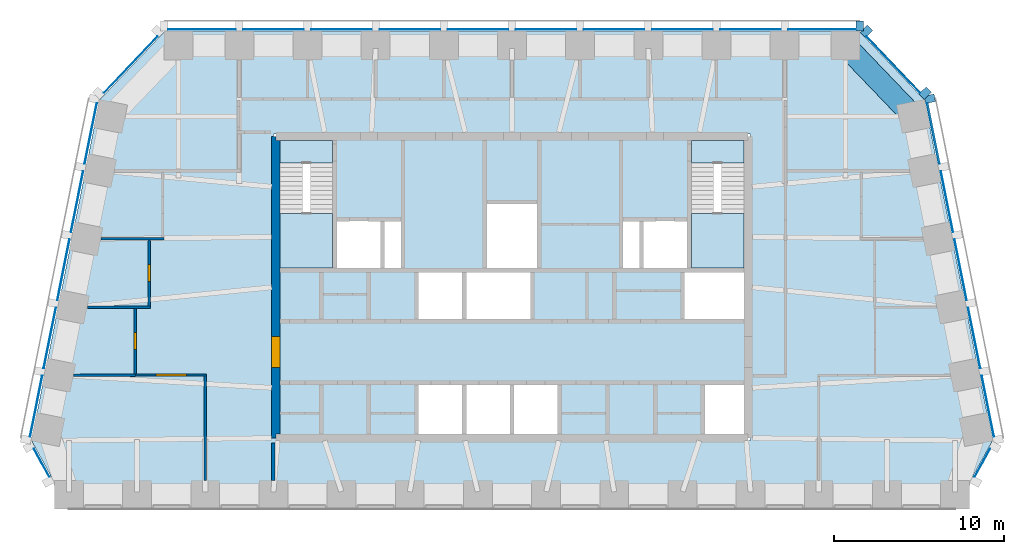
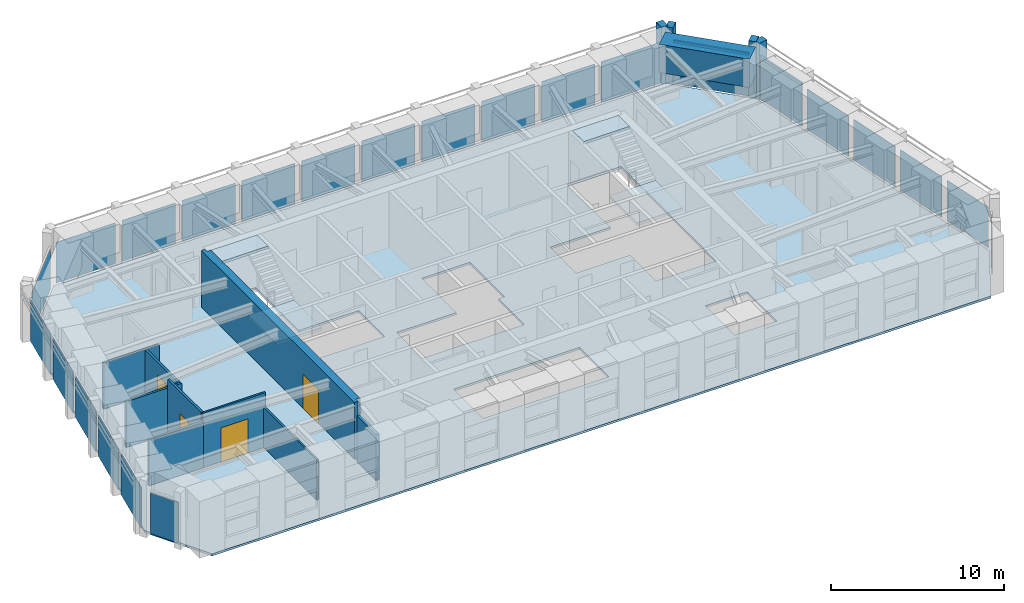
# One storey, part 3 of 9: 24 plates, 9 walls, 6 members, 5 slabs, 4 doors, 1 beam, 4 openings, 9 elements without a shape of their own.
"""IFC4 building model written with IfcOpenShell, lengths in metres."""

from ifc_helpers import new_model, si_unit, direction, frame, frame_2d, origin, origin_2d, place, context, subcontext, project, spatial, polyline, rectangle, outline, extrude, material, layer, layer_set, material_profile, profile_set, type_object, element, fill, aggregate, save


model = new_model("IFC4")

# Units and contexts
model_context = context("Model", 3, precision=1e-05, world=origin(), true_north=direction((0.0, 1.0)))
body_context = subcontext(model_context, "Body", "Model", "MODEL_VIEW")
ifc_project = project(units=[si_unit("LENGTHUNIT", "METRE"), si_unit("AREAUNIT", "SQUARE_METRE"), si_unit("VOLUMEUNIT", "CUBIC_METRE"), si_unit("PLANEANGLEUNIT", "RADIAN"), si_unit("MASSUNIT", "GRAM", prefix="KILO")], contexts=[model_context])

# Site, building, storey
site_placement = place(None, origin())
site = spatial("IfcSite", under=ifc_project, at=site_placement, CompositionType="ELEMENT")
building_placement = place(site_placement, origin())
building = spatial("IfcBuilding", under=site, at=building_placement, Name="Isbrekke Arena Tower", CompositionType="ELEMENT")
storey_placement = place(building_placement, frame((0.0, 0.0, 312.0)))
storey = spatial("IfcBuildingStorey", under=building, at=storey_placement, Name="L73", CompositionType="ELEMENT", Elevation=312.0)

# Curtain wall, member
ifc_material_1 = material(Name="Glazed aluminium curtain wall", Category="aluminium")
curtain_wall_type = type_object("IfcCurtainWallType", Name="CWT TOWER CURTAIN WALL TOP ZONE", PredefinedType="USERDEFINED", material=ifc_material_1)
curtain_wall_1_placement = place(storey_placement, origin())
curtain_wall_1 = element("IfcCurtainWall", 1, at=curtain_wall_1_placement, inside=storey, type_object=curtain_wall_type, Name="CWT curtain wall L73-E", ObjectType="TOWER CURTAIN WALL TOP ZONE", PredefinedType="USERDEFINED")
ifc_material_2 = material(Name="Copper-clad aluminium mullion", Category="aluminium")
ifc_material_profile_1 = material_profile(ifc_material_2, rectangle(XDim=0.449951171875, YDim=0.60009765625, at=origin_2d()), Name="PIER 450X600")
ifc_profile_set_1 = profile_set([ifc_material_profile_1], Name="Copper-clad aluminium mullion")
member_type_1 = type_object("IfcMemberType", Name="CWT-M PIER MULLION 450 x 600", PredefinedType="MULLION", material=ifc_profile_set_1)
member_1_placement = place(storey_placement, frame((24.518798828125, 26.063720703125, 0.0), z_axis=(0.0, 0.0, 1.0), x_axis=(-0.196116135138, 0.980580675691, 0.0)))
member_1 = element("IfcMember", 2, at=member_1_placement, type_object=member_type_1, Name="CWT-M mullion 6", PredefinedType="MULLION", context=body_context, shape_type="SweptSolid", body=[
    extrude(rectangle(XDim=0.449951171875, YDim=0.60009765625, at=origin_2d()), origin(), (0.0, 0.0, 1.0), 4.0),
])

# Curtain wall, members
curtain_wall_2_placement = place(storey_placement, origin())
curtain_wall_2 = element("IfcCurtainWall", 3, at=curtain_wall_2_placement, inside=storey, type_object=curtain_wall_type, Name="CWT curtain wall L73-EN", ObjectType="TOWER CURTAIN WALL TOP ZONE", PredefinedType="USERDEFINED")
member_2_placement = place(storey_placement, frame((24.244384765625, 26.388671875, 0.0), z_axis=(0.0, 0.0, 1.0), x_axis=(-0.68874946192, 0.72499943359, 0.0)))
member_2 = element("IfcMember", 4, at=member_2_placement, type_object=member_type_1, Name="CWT-M mullion 1", PredefinedType="MULLION", context=body_context, shape_type="SweptSolid", body=[
    extrude(rectangle(XDim=0.449951171875, YDim=0.60009765625, at=origin_2d()), origin(), (0.0, 0.0, 1.0), 4.0),
])
member_3_placement = place(storey_placement, frame((20.795166015625, 30.019775390625, 0.0), z_axis=(0.0, 0.0, 1.0), x_axis=(-0.68874946192, 0.72499943359, 0.0)))
member_3 = element("IfcMember", 5, at=member_3_placement, type_object=member_type_1, Name="CWT-M mullion 2", PredefinedType="MULLION", context=body_context, shape_type="SweptSolid", body=[
    extrude(rectangle(XDim=0.449951171875, YDim=0.60009765625, at=origin_2d()), origin(), (0.0, 0.0, 1.0), 4.0),
])

# Curtain wall, member
curtain_wall_3_placement = place(storey_placement, origin())
curtain_wall_3 = element("IfcCurtainWall", 6, at=curtain_wall_3_placement, inside=storey, type_object=curtain_wall_type, Name="CWT curtain wall L73-N", ObjectType="TOWER CURTAIN WALL TOP ZONE", PredefinedType="USERDEFINED")
member_4_placement = place(storey_placement, frame((20.39990234375, 30.324951171875, 0.0), z_axis=(0.0, 0.0, 1.0), x_axis=(-1.0, 0.0, 0.0)))
member_4 = element("IfcMember", 7, at=member_4_placement, type_object=member_type_1, Name="CWT-M mullion 1", PredefinedType="MULLION", context=body_context, shape_type="SweptSolid", body=[
    extrude(rectangle(XDim=0.449951171875, YDim=0.60009765625, at=origin_2d()), origin(), (0.0, 0.0, 1.0), 4.0),
])

# Member
ifc_material_3 = material(Name="Aluminium transom", Category="aluminium")
ifc_material_profile_2 = material_profile(ifc_material_3, rectangle(XDim=0.1201171875, YDim=0.199951171875, at=origin_2d()), Name="TRANSOM 120X200")
ifc_profile_set_2 = profile_set([ifc_material_profile_2], Name="Aluminium transom")
member_type_2 = type_object("IfcMemberType", Name="CWT-T TRANSOM 120 x 200", PredefinedType="USERDEFINED", material=ifc_profile_set_2)
member_5_placement = place(storey_placement, frame((25.078369140625, 22.2451171875, 3.0), z_axis=(-0.196090262229, 0.980585849918, 0.0), x_axis=(-0.980585849918, -0.196090262229, 0.0)))
member_5 = element("IfcMember", 8, at=member_5_placement, type_object=member_type_2, Name="CWT-T transom 5", ObjectType="TRANSOM", PredefinedType="USERDEFINED", context=body_context, shape_type="SweptSolid", body=[
    extrude(rectangle(XDim=0.1201171875, YDim=0.199951171875, at=origin_2d()), origin(), (0.0, 0.0, 1.0), 3.62939453125),
])

member_6_placement = place(storey_placement, frame((23.944580078125, 26.4140625, 3.0), z_axis=(-0.688771983213, 0.724978037696, 0.0), x_axis=(-0.724978037696, -0.688771983213, 0.0)))
member_6 = element("IfcMember", 9, at=member_6_placement, type_object=member_type_2, Name="CWT-T transom 1", ObjectType="TRANSOM", PredefinedType="USERDEFINED", context=body_context, shape_type="SweptSolid", body=[
    extrude(rectangle(XDim=0.1201171875, YDim=0.199951171875, at=origin_2d()), origin(), (0.0, 0.0, 1.0), 4.558349609375),
])

# Beam
ifc_material_4 = material(Name="Concrete B55 (C55/67)", Category="concrete")
ifc_material_profile_3 = material_profile(ifc_material_4, rectangle(XDim=1.300048828125, YDim=2.0, at=origin_2d()), Name="RC 1300x2000")
ifc_profile_set_3 = profile_set([ifc_material_profile_3], Name="Concrete B55 (C55/67)")
beam_type = type_object("IfcBeamType", Name="SB4 RC 1300 x 2000", PredefinedType="SPANDREL", material=ifc_profile_set_3)
beam_placement = place(storey_placement, frame((23.448974609375, 25.137451171875, 3.0), z_axis=(-0.692339547635, 0.721571861134, 0.0), x_axis=(-0.721571861134, -0.692339547635, 0.0)))
element("IfcBeam", 10, at=beam_placement, inside=storey, type_object=beam_type, Name="SB4 spandrel E06-N01 L73", PredefinedType="SPANDREL", context=body_context, shape_type="SweptSolid", body=[
    extrude(rectangle(XDim=1.300048828125, YDim=2.0, at=origin_2d()), origin(), (0.0, 0.0, 1.0), 5.4453125),
])

# Curtain wall, plate
curtain_wall_4_placement = place(storey_placement, origin())
curtain_wall_4 = element("IfcCurtainWall", 11, at=curtain_wall_4_placement, inside=storey, type_object=curtain_wall_type, Name="CWT curtain wall L73-SE", ObjectType="TOWER CURTAIN WALL TOP ZONE", PredefinedType="USERDEFINED")
ifc_material_5 = material(Name="Triple-glazed clear glass unit", Category="glass")
ifc_layer_1 = layer(ifc_material_5, 0.031982421875)
ifc_layer_set_1 = layer_set([ifc_layer_1], Name="CWT-P VISION PANEL")
plate_type = type_object("IfcPlateType", Name="CWT-P VISION PANEL", PredefinedType="CURTAIN_PANEL", material=ifc_layer_set_1)
plate_1_placement = place(storey_placement, frame((27.604248046875, 4.70947265625, 0.02001953125), z_axis=(0.0, 0.0, 1.0), x_axis=(0.481918749773, 0.876215908676, 0.0)))
plate_1 = element("IfcPlate", 12, at=plate_1_placement, type_object=plate_type, Name="CWT-P panel 1", PredefinedType="CURTAIN_PANEL", context=body_context, shape_type="SweptSolid", body=[
    extrude(rectangle(XDim=1.876220703125, YDim=0.031982421875, at=origin_2d()), origin(), (0.0, 0.0, 1.0), 2.8798828125),
])
aggregate(curtain_wall_4, [plate_1])

# Plate
plate_2_placement = place(storey_placement, frame((27.922607421875, 8.0244140625, 0.02001953125), z_axis=(0.0, 0.0, 1.0), x_axis=(-0.196116135138, 0.980580675691, 0.0)))
plate_2 = element("IfcPlate", 13, at=plate_2_placement, type_object=plate_type, Name="CWT-P panel 1", PredefinedType="CURTAIN_PANEL", context=body_context, shape_type="SweptSolid", body=[
    extrude(rectangle(XDim=3.629150390625, YDim=0.031982421875, at=origin_2d()), origin(), (0.0, 0.0, 1.0), 2.8798828125),
])

plate_3_placement = place(storey_placement, frame((27.12255859375, 12.0244140625, 0.02001953125), z_axis=(0.0, 0.0, 1.0), x_axis=(-0.196116135138, 0.980580675691, 0.0)))
plate_3 = element("IfcPlate", 14, at=plate_3_placement, type_object=plate_type, Name="CWT-P panel 2", PredefinedType="CURTAIN_PANEL", context=body_context, shape_type="SweptSolid", body=[
    extrude(rectangle(XDim=3.629150390625, YDim=0.031982421875, at=origin_2d()), origin(), (0.0, 0.0, 1.0), 2.8798828125),
])

plate_4_placement = place(storey_placement, frame((26.322509765625, 16.0244140625, 0.02001953125), z_axis=(0.0, 0.0, 1.0), x_axis=(-0.196116135138, 0.980580675691, 0.0)))
plate_4 = element("IfcPlate", 15, at=plate_4_placement, type_object=plate_type, Name="CWT-P panel 3", PredefinedType="CURTAIN_PANEL", context=body_context, shape_type="SweptSolid", body=[
    extrude(rectangle(XDim=3.629150390625, YDim=0.031982421875, at=origin_2d()), origin(), (0.0, 0.0, 1.0), 2.8798828125),
])

plate_5_placement = place(storey_placement, frame((25.5224609375, 20.0244140625, 0.02001953125), z_axis=(0.0, 0.0, 1.0), x_axis=(-0.196116135138, 0.980580675691, 0.0)))
plate_5 = element("IfcPlate", 16, at=plate_5_placement, type_object=plate_type, Name="CWT-P panel 4", PredefinedType="CURTAIN_PANEL", context=body_context, shape_type="SweptSolid", body=[
    extrude(rectangle(XDim=3.629150390625, YDim=0.031982421875, at=origin_2d()), origin(), (0.0, 0.0, 1.0), 2.8798828125),
])

plate_6_placement = place(storey_placement, frame((24.72265625, 24.0244140625, 0.02001953125), z_axis=(0.0, 0.0, 1.0), x_axis=(-0.196116135138, 0.980580675691, 0.0)))
plate_6 = element("IfcPlate", 17, at=plate_6_placement, type_object=plate_type, Name="CWT-P panel 5", PredefinedType="CURTAIN_PANEL", context=body_context, shape_type="SweptSolid", body=[
    extrude(rectangle(XDim=3.629150390625, YDim=0.031982421875, at=origin_2d()), origin(), (0.0, 0.0, 1.0), 2.8798828125),
])

aggregate(curtain_wall_1, [member_1, plate_2, plate_3, plate_4, plate_5, member_5, plate_6])

plate_7_placement = place(storey_placement, frame((22.374755859375, 28.06640625, 0.02001953125), z_axis=(0.0, 0.0, 1.0), x_axis=(-0.68874946192, 0.72499943359, 0.0)))
plate_7 = element("IfcPlate", 18, at=plate_7_placement, type_object=plate_type, Name="CWT-P panel 1", PredefinedType="CURTAIN_PANEL", context=body_context, shape_type="SweptSolid", body=[
    extrude(rectangle(XDim=4.558349609375, YDim=0.031982421875, at=origin_2d()), origin(), (0.0, 0.0, 1.0), 2.8798828125),
])

aggregate(curtain_wall_2, [member_2, member_3, member_6, plate_7])

plate_8_placement = place(storey_placement, frame((18.199951171875, 30.125, 0.02001953125), z_axis=(0.0, 0.0, 1.0), x_axis=(-1.0, 0.0, 0.0)))
plate_8 = element("IfcPlate", 19, at=plate_8_placement, type_object=plate_type, Name="CWT-P panel 1", PredefinedType="CURTAIN_PANEL", context=body_context, shape_type="SweptSolid", body=[
    extrude(rectangle(XDim=3.949951171875, YDim=0.031982421875, at=origin_2d()), origin(), (0.0, 0.0, 1.0), 2.8798828125),
])

plate_9_placement = place(storey_placement, frame((14.0, 30.125, 0.02001953125), z_axis=(0.0, 0.0, 1.0), x_axis=(-1.0, 0.0, 0.0)))
plate_9 = element("IfcPlate", 20, at=plate_9_placement, type_object=plate_type, Name="CWT-P panel 2", PredefinedType="CURTAIN_PANEL", context=body_context, shape_type="SweptSolid", body=[
    extrude(rectangle(XDim=3.550048828125, YDim=0.031982421875, at=origin_2d()), origin(), (0.0, 0.0, 1.0), 2.8798828125),
])

plate_10_placement = place(storey_placement, frame((10.0, 30.125, 0.02001953125), z_axis=(0.0, 0.0, 1.0), x_axis=(-1.0, 0.0, 0.0)))
plate_10 = element("IfcPlate", 21, at=plate_10_placement, type_object=plate_type, Name="CWT-P panel 3", PredefinedType="CURTAIN_PANEL", context=body_context, shape_type="SweptSolid", body=[
    extrude(rectangle(XDim=3.550048828125, YDim=0.031982421875, at=origin_2d()), origin(), (0.0, 0.0, 1.0), 2.8798828125),
])

plate_11_placement = place(storey_placement, frame((6.0, 30.125, 0.02001953125), z_axis=(0.0, 0.0, 1.0), x_axis=(-1.0, 0.0, 0.0)))
plate_11 = element("IfcPlate", 22, at=plate_11_placement, type_object=plate_type, Name="CWT-P panel 4", PredefinedType="CURTAIN_PANEL", context=body_context, shape_type="SweptSolid", body=[
    extrude(rectangle(XDim=3.550048828125, YDim=0.031982421875, at=origin_2d()), origin(), (0.0, 0.0, 1.0), 2.8798828125),
])

plate_12_placement = place(storey_placement, frame((2.0, 30.125, 0.02001953125), z_axis=(0.0, 0.0, 1.0), x_axis=(-1.0, 0.0, 0.0)))
plate_12 = element("IfcPlate", 23, at=plate_12_placement, type_object=plate_type, Name="CWT-P panel 5", PredefinedType="CURTAIN_PANEL", context=body_context, shape_type="SweptSolid", body=[
    extrude(rectangle(XDim=3.550048828125, YDim=0.031982421875, at=origin_2d()), origin(), (0.0, 0.0, 1.0), 2.8798828125),
])

plate_13_placement = place(storey_placement, frame((-2.0, 30.125, 0.02001953125), z_axis=(0.0, 0.0, 1.0), x_axis=(-1.0, 0.0, 0.0)))
plate_13 = element("IfcPlate", 24, at=plate_13_placement, type_object=plate_type, Name="CWT-P panel 6", PredefinedType="CURTAIN_PANEL", context=body_context, shape_type="SweptSolid", body=[
    extrude(rectangle(XDim=3.550048828125, YDim=0.031982421875, at=origin_2d()), origin(), (0.0, 0.0, 1.0), 2.8798828125),
])

plate_14_placement = place(storey_placement, frame((-6.0, 30.125, 0.02001953125), z_axis=(0.0, 0.0, 1.0), x_axis=(-1.0, 0.0, 0.0)))
plate_14 = element("IfcPlate", 25, at=plate_14_placement, type_object=plate_type, Name="CWT-P panel 7", PredefinedType="CURTAIN_PANEL", context=body_context, shape_type="SweptSolid", body=[
    extrude(rectangle(XDim=3.550048828125, YDim=0.031982421875, at=origin_2d()), origin(), (0.0, 0.0, 1.0), 2.8798828125),
])

plate_15_placement = place(storey_placement, frame((-10.0, 30.125, 0.02001953125), z_axis=(0.0, 0.0, 1.0), x_axis=(-1.0, 0.0, 0.0)))
plate_15 = element("IfcPlate", 26, at=plate_15_placement, type_object=plate_type, Name="CWT-P panel 8", PredefinedType="CURTAIN_PANEL", context=body_context, shape_type="SweptSolid", body=[
    extrude(rectangle(XDim=3.550048828125, YDim=0.031982421875, at=origin_2d()), origin(), (0.0, 0.0, 1.0), 2.8798828125),
])

plate_16_placement = place(storey_placement, frame((-14.0, 30.125, 0.02001953125), z_axis=(0.0, 0.0, 1.0), x_axis=(-1.0, 0.0, 0.0)))
plate_16 = element("IfcPlate", 27, at=plate_16_placement, type_object=plate_type, Name="CWT-P panel 9", PredefinedType="CURTAIN_PANEL", context=body_context, shape_type="SweptSolid", body=[
    extrude(rectangle(XDim=3.550048828125, YDim=0.031982421875, at=origin_2d()), origin(), (0.0, 0.0, 1.0), 2.8798828125),
])

plate_17_placement = place(storey_placement, frame((-18.199951171875, 30.125, 0.02001953125), z_axis=(0.0, 0.0, 1.0), x_axis=(-1.0, 0.0, 0.0)))
plate_17 = element("IfcPlate", 28, at=plate_17_placement, type_object=plate_type, Name="CWT-P panel 10", PredefinedType="CURTAIN_PANEL", context=body_context, shape_type="SweptSolid", body=[
    extrude(rectangle(XDim=3.949951171875, YDim=0.031982421875, at=origin_2d()), origin(), (0.0, 0.0, 1.0), 2.8798828125),
])

aggregate(curtain_wall_3, [member_4, plate_8, plate_9, plate_10, plate_11, plate_12, plate_13, plate_14, plate_15, plate_16, plate_17])

# Curtain wall, plate
curtain_wall_5_placement = place(storey_placement, origin())
curtain_wall_5 = element("IfcCurtainWall", 29, at=curtain_wall_5_placement, inside=storey, type_object=curtain_wall_type, Name="CWT curtain wall L73-NW", ObjectType="TOWER CURTAIN WALL TOP ZONE", PredefinedType="USERDEFINED")
plate_18_placement = place(storey_placement, frame((-22.37451171875, 28.066650390625, 0.02001953125), z_axis=(0.0, 0.0, 1.0), x_axis=(-0.68874946192, -0.72499943359, 0.0)))
plate_18 = element("IfcPlate", 30, at=plate_18_placement, type_object=plate_type, Name="CWT-P panel 1", PredefinedType="CURTAIN_PANEL", context=body_context, shape_type="SweptSolid", body=[
    extrude(rectangle(XDim=4.557373046875, YDim=0.031982421875, at=origin_2d()), origin(), (0.0, 0.0, 1.0), 2.8798828125),
])
aggregate(curtain_wall_5, [plate_18])

# Curtain wall, plates
curtain_wall_6_placement = place(storey_placement, origin())
curtain_wall_6 = element("IfcCurtainWall", 31, at=curtain_wall_6_placement, inside=storey, type_object=curtain_wall_type, Name="CWT curtain wall L73-W", ObjectType="TOWER CURTAIN WALL TOP ZONE", PredefinedType="USERDEFINED")
plate_19_placement = place(storey_placement, frame((-24.72265625, 24.0244140625, 0.02001953125), z_axis=(0.0, 0.0, 1.0), x_axis=(-0.196116135138, -0.980580675691, 0.0)))
plate_19 = element("IfcPlate", 32, at=plate_19_placement, type_object=plate_type, Name="CWT-P panel 1", PredefinedType="CURTAIN_PANEL", context=body_context, shape_type="SweptSolid", body=[
    extrude(rectangle(XDim=3.629150390625, YDim=0.031982421875, at=origin_2d()), origin(), (0.0, 0.0, 1.0), 2.8798828125),
])
plate_20_placement = place(storey_placement, frame((-25.5224609375, 20.0244140625, 0.02001953125), z_axis=(0.0, 0.0, 1.0), x_axis=(-0.196116135138, -0.980580675691, 0.0)))
plate_20 = element("IfcPlate", 33, at=plate_20_placement, type_object=plate_type, Name="CWT-P panel 2", PredefinedType="CURTAIN_PANEL", context=body_context, shape_type="SweptSolid", body=[
    extrude(rectangle(XDim=3.629150390625, YDim=0.031982421875, at=origin_2d()), origin(), (0.0, 0.0, 1.0), 2.8798828125),
])
plate_21_placement = place(storey_placement, frame((-26.322509765625, 16.0244140625, 0.02001953125), z_axis=(0.0, 0.0, 1.0), x_axis=(-0.196116135138, -0.980580675691, 0.0)))
plate_21 = element("IfcPlate", 34, at=plate_21_placement, type_object=plate_type, Name="CWT-P panel 3", PredefinedType="CURTAIN_PANEL", context=body_context, shape_type="SweptSolid", body=[
    extrude(rectangle(XDim=3.629150390625, YDim=0.031982421875, at=origin_2d()), origin(), (0.0, 0.0, 1.0), 2.8798828125),
])
plate_22_placement = place(storey_placement, frame((-27.12255859375, 12.0244140625, 0.02001953125), z_axis=(0.0, 0.0, 1.0), x_axis=(-0.196116135138, -0.980580675691, 0.0)))
plate_22 = element("IfcPlate", 35, at=plate_22_placement, type_object=plate_type, Name="CWT-P panel 4", PredefinedType="CURTAIN_PANEL", context=body_context, shape_type="SweptSolid", body=[
    extrude(rectangle(XDim=3.629150390625, YDim=0.031982421875, at=origin_2d()), origin(), (0.0, 0.0, 1.0), 2.8798828125),
])
plate_23_placement = place(storey_placement, frame((-27.922607421875, 8.0244140625, 0.02001953125), z_axis=(0.0, 0.0, 1.0), x_axis=(-0.196116135138, -0.980580675691, 0.0)))
plate_23 = element("IfcPlate", 36, at=plate_23_placement, type_object=plate_type, Name="CWT-P panel 5", PredefinedType="CURTAIN_PANEL", context=body_context, shape_type="SweptSolid", body=[
    extrude(rectangle(XDim=3.629150390625, YDim=0.031982421875, at=origin_2d()), origin(), (0.0, 0.0, 1.0), 2.8798828125),
])
aggregate(curtain_wall_6, [plate_19, plate_20, plate_21, plate_22, plate_23])

# Curtain wall, plate
curtain_wall_7_placement = place(storey_placement, origin())
curtain_wall_7 = element("IfcCurtainWall", 37, at=curtain_wall_7_placement, inside=storey, type_object=curtain_wall_type, Name="CWT curtain wall L73-WS", ObjectType="TOWER CURTAIN WALL TOP ZONE", PredefinedType="USERDEFINED")
plate_24_placement = place(storey_placement, frame((-27.60400390625, 4.708984375, 0.02001953125), z_axis=(0.0, 0.0, 1.0), x_axis=(0.481918749773, -0.876215908676, 0.0)))
plate_24 = element("IfcPlate", 38, at=plate_24_placement, type_object=plate_type, Name="CWT-P panel 1", PredefinedType="CURTAIN_PANEL", context=body_context, shape_type="SweptSolid", body=[
    extrude(rectangle(XDim=1.878173828125, YDim=0.031982421875, at=origin_2d()), origin(), (0.0, 0.0, 1.0), 2.8798828125),
])
aggregate(curtain_wall_7, [plate_24])

# Slab
ifc_material_6 = material(Name="Concrete B35 (C35/45)", Category="concrete")
ifc_layer_2 = layer(ifc_material_6, 0.14990234375)
ifc_layer_set_2 = layer_set([ifc_layer_2], Name="FS1 COMPOSITE FLOOR 150")
slab_type_1 = type_object("IfcSlabType", Name="FS1 COMPOSITE FLOOR 150", PredefinedType="FLOOR", material=ifc_layer_set_2)
slab_1_placement = place(storey_placement, frame((0.0, 0.0, -0.14990234375)))
element("IfcSlab", 39, at=slab_1_placement, inside=storey, type_object=slab_type_1, Name="FS1 floor slab L73", PredefinedType="FLOOR", context=body_context, shape_type="SweptSolid", body=[
    extrude(outline(polyline([(-26.0, 2.0), (26.0, 2.0), (28.199951171875, 6.0), (24.199951171875, 26.0), (20.39990234375, 30.0), (-20.39990234375, 30.0), (-24.199951171875, 26.0), (-28.199951171875, 6.0), (-26.0, 2.0)]), holes=[polyline([(2.800048828125, 9.39990234375), (2.800048828125, 6.0), (-5.60009765625, 6.0), (-5.60009765625, 9.39990234375), (2.800048828125, 9.39990234375)]), polyline([(11.199951171875, 6.0), (11.199951171875, 9.39990234375), (14.0, 9.39990234375), (14.0, 6.0), (11.199951171875, 6.0)]), polyline([(-5.60009765625, 13.0), (-5.60009765625, 16.0), (-1.60009765625, 16.0), (-1.60009765625, 20.0), (1.60009765625, 20.0), (1.60009765625, 16.0), (1.199951171875, 16.0), (1.199951171875, 13.0), (-5.60009765625, 13.0)]), polyline([(14.0, 13.0), (10.0, 13.0), (10.0, 16.0), (6.39990234375, 16.0), (6.39990234375, 19.0), (10.39990234375, 19.0), (10.39990234375, 24.0), (14.0, 24.0), (14.0, 13.0)]), polyline([(-6.39990234375, 19.0), (-6.39990234375, 16.0), (-14.0, 16.0), (-14.0, 24.0), (-10.39990234375, 24.0), (-10.39990234375, 19.0), (-6.39990234375, 19.0)])]), origin(), (0.0, 0.0, 1.0), 0.14990234375),
])

# Stair, slabs
ifc_material_7 = material(Name="Concrete B45 (C45/55) precast", Category="concrete")
stair_type = type_object("IfcStairType", Name="ST40 STAIR 1300 WIDE, 24 RISERS 167", PredefinedType="HALF_TURN_STAIR", material=ifc_material_7)
stair_1_placement = place(storey_placement, origin())
stair_1 = element("IfcStair", 40, at=stair_1_placement, inside=storey, type_object=stair_type, Name="ST1 stair L73", PredefinedType="HALF_TURN_STAIR")
ifc_material_8 = material(Name="Concrete B35 (C35/45)", Category="concrete")
ifc_layer_3 = layer(ifc_material_8, 0.199951171875)
ifc_layer_set_3 = layer_set([ifc_layer_3], Name="SL1 STAIR LANDING 200")
slab_type_2 = type_object("IfcSlabType", Name="SL1 STAIR LANDING 200", PredefinedType="LANDING", material=ifc_layer_set_3)
slab_2_placement = place(storey_placement, frame((0.0, 0.0, 1.800048828125)))
slab_2 = element("IfcSlab", 41, at=slab_2_placement, type_object=slab_type_2, Name="ST1 landing 1", PredefinedType="LANDING", context=body_context, shape_type="SweptSolid", body=[
    extrude(outline(polyline([(-13.60009765625, 16.125), (-10.52490234375, 16.125), (-10.52490234375, 19.330078125), (-13.60009765625, 19.330078125), (-13.60009765625, 16.125)])), origin(), (0.0, 0.0, 1.0), 0.199951171875),
])
slab_3_placement = place(storey_placement, frame((0.0, 0.0, 3.800048828125)))
slab_3 = element("IfcSlab", 42, at=slab_3_placement, type_object=slab_type_2, Name="ST1 landing 2", PredefinedType="LANDING", context=body_context, shape_type="SweptSolid", body=[
    extrude(outline(polyline([(-13.60009765625, 22.300048828125), (-10.52490234375, 22.300048828125), (-10.52490234375, 23.60009765625), (-13.60009765625, 23.60009765625), (-13.60009765625, 22.300048828125)])), origin(), (0.0, 0.0, 1.0), 0.199951171875),
])
aggregate(stair_1, [slab_2, slab_3])

stair_2_placement = place(storey_placement, origin())
stair_2 = element("IfcStair", 43, at=stair_2_placement, inside=storey, type_object=stair_type, Name="ST2 stair L73", PredefinedType="HALF_TURN_STAIR")
slab_4_placement = place(storey_placement, frame((0.0, 0.0, 1.800048828125)))
slab_4 = element("IfcSlab", 44, at=slab_4_placement, type_object=slab_type_2, Name="ST2 landing 1", PredefinedType="LANDING", context=body_context, shape_type="SweptSolid", body=[
    extrude(outline(polyline([(10.52490234375, 16.125), (13.60009765625, 16.125), (13.60009765625, 19.330078125), (10.52490234375, 19.330078125), (10.52490234375, 16.125)])), origin(), (0.0, 0.0, 1.0), 0.199951171875),
])
slab_5_placement = place(storey_placement, frame((0.0, 0.0, 3.800048828125)))
slab_5 = element("IfcSlab", 45, at=slab_5_placement, type_object=slab_type_2, Name="ST2 landing 2", PredefinedType="LANDING", context=body_context, shape_type="SweptSolid", body=[
    extrude(outline(polyline([(10.52490234375, 22.300048828125), (13.60009765625, 22.300048828125), (13.60009765625, 23.60009765625), (10.52490234375, 23.60009765625), (10.52490234375, 22.300048828125)])), origin(), (0.0, 0.0, 1.0), 0.199951171875),
])
aggregate(stair_2, [slab_4, slab_5])

# Wall, opening, door
ifc_material_9 = material(Name="Concrete B55 (C55/67)", Category="concrete")
ifc_layer_4 = layer(ifc_material_9, 0.5)
ifc_layer_set_4 = layer_set([ifc_layer_4], Name="CW5 CORE WALL 500")
wall_type_1 = type_object("IfcWallType", Name="CW5 CORE WALL 500", PredefinedType="SHEAR", material=ifc_layer_set_4)
wall_1_placement = place(storey_placement, frame((-13.85009765625, 23.85009765625, 0.0), z_axis=(0.0, 0.0, 1.0), x_axis=(0.0, -1.0, 0.0)))
wall_1 = element("IfcWall", 46, at=wall_1_placement, inside=storey, type_object=wall_type_1, Name="Core wall W L73", PredefinedType="SHEAR", context=body_context, shape_type="SweptSolid", body=[
    extrude(outline(polyline([(0.0, -0.25), (17.7001953125, -0.25), (17.7001953125, 0.0), (17.4501953125, 0.0), (17.4501953125, 0.25), (0.25, 0.25), (0.25, 0.0), (0.0, 0.0), (0.0, -0.25)])), origin(), (0.0, 0.0, 1.0), 4.0),
])
opening_1_placement = place(wall_1_placement, frame((11.75, 0.0, 0.0)))
opening_1 = element("IfcOpeningElement", 47, at=opening_1_placement, cuts=wall_1, Name="Opening D1", PredefinedType="OPENING", context=body_context, shape_type="SweptSolid", body=[
    extrude(rectangle(XDim=1.800048828125, YDim=2.39990234375, at=frame_2d((0.89990234375, 1.199951171875))), frame((0.0, 0.264892578125, 0.0), z_axis=(0.0, -1.0, 0.0), x_axis=(1.0, 0.0, 0.0)), (0.0, 0.0, 1.0), 0.52978515625),
])
ifc_material_10 = material(Name="Steel-framed glazed fire door", Category="steel")
door_type_1 = type_object("IfcDoorType", Name="D1 CORE LOBBY DOOR 1800 x 2400", OperationType="DOUBLE_DOOR_SINGLE_SWING", PredefinedType="DOOR", material=ifc_material_10)
door_1_placement = place(opening_1_placement, origin())
door_1 = element("IfcDoor", 48, at=door_1_placement, inside=storey, type_object=door_type_1, Name="D1 lift lobby door west L73", OperationType="DOUBLE_DOOR_SINGLE_SWING", OverallHeight=2.39990234375, OverallWidth=1.800048828125, PredefinedType="DOOR", context=body_context, shape_type="SweptSolid", body=[
    extrude(rectangle(XDim=1.800048828125, YDim=2.39990234375, at=frame_2d((0.89990234375, 1.199951171875))), frame((0.0, 0.249755859375, 0.0), z_axis=(0.0, -1.0, 0.0), x_axis=(1.0, 0.0, 0.0)), (0.0, 0.0, 1.0), 0.49951171875),
])
fill(opening_1, door_1)

# Walls
ifc_material_11 = material(Name="Gypsum board partition on steel studs", Category="steel")
ifc_layer_5 = layer(ifc_material_11, 0.14990234375)
ifc_layer_set_5 = layer_set([ifc_layer_5], Name="IW1 PARTITION 150")
wall_type_2 = type_object("IfcWallType", Name="IW1 PARTITION 150", PredefinedType="PARTITIONING", material=ifc_layer_set_5)
wall_2_placement = place(storey_placement, frame((-25.723876953125, 9.840087890625, 0.0), z_axis=(0.0, 0.0, 1.0), x_axis=(1.0, 0.0, 0.0)))
element("IfcWall", 49, at=wall_2_placement, inside=storey, type_object=wall_type_2, Name="IW1 partition 150 L73", PredefinedType="PARTITIONING", context=body_context, shape_type="SweptSolid", body=[
    extrude(rectangle(XDim=3.623779296875, YDim=0.14990234375, at=frame_2d((1.81201171875, 0.0))), origin(), (0.0, 0.0, 1.0), 3.22998046875),
])
for number, where, z_axis, x_axis, name in (
    (50, (-24.923828125, 13.840087890625, 0.0), (0.0, 0.0, 1.0), (1.0, 0.0, 0.0), "IW1 partition 150 L73"),
    (51, (-24.123779296875, 17.840087890625, 0.0), (0.0, 0.0, 1.0), (1.0, 0.0, 0.0), "IW1 partition 150 L73"),
):
    element("IfcWall", number, at=place(storey_placement, frame(where, z_axis=z_axis, x_axis=x_axis)), inside=storey, type_object=wall_type_2, Name=name, PredefinedType="PARTITIONING", context=body_context, shape_type="SweptSolid", body=[
        extrude(rectangle(XDim=3.69873046875, YDim=0.14990234375, at=frame_2d((1.849365234375, 0.0))), origin(), (0.0, 0.0, 1.0), 3.22998046875),
    ])

# Wall, opening, door
wall_3_placement = place(storey_placement, frame((-22.10009765625, 9.9150390625, 0.0), z_axis=(0.0, 0.0, 1.0), x_axis=(0.0, 1.0, 0.0)))
wall_3 = element("IfcWall", 52, at=wall_3_placement, inside=storey, type_object=wall_type_2, Name="IW1 partition 150 L73", PredefinedType="PARTITIONING", context=body_context, shape_type="SweptSolid", body=[
    extrude(rectangle(XDim=3.849853515625, YDim=0.14990234375, at=frame_2d((1.9248046875, 0.0))), origin(), (0.0, 0.0, 1.0), 3.85009765625),
])
opening_2_placement = place(wall_3_placement, frame((1.425048828125, 0.0, 0.0)))
opening_2 = element("IfcOpeningElement", 53, at=opening_2_placement, cuts=wall_3, Name="Opening D10", PredefinedType="OPENING", context=body_context, shape_type="SweptSolid", body=[
    extrude(rectangle(XDim=1.0, YDim=2.300048828125, at=frame_2d((0.5, 1.14990234375))), frame((0.0, 0.08984375, 0.0), z_axis=(0.0, -1.0, 0.0), x_axis=(1.0, 0.0, 0.0)), (0.0, 0.0, 1.0), 0.1796875),
])
ifc_material_12 = material(Name="Timber door", Category="wood")
door_type_2 = type_object("IfcDoorType", Name="D10 OFFICE DOOR 1000 x 2300", OperationType="SINGLE_SWING_LEFT", PredefinedType="DOOR", material=ifc_material_12)
door_2_placement = place(opening_2_placement, origin())
door_2 = element("IfcDoor", 54, at=door_2_placement, inside=storey, type_object=door_type_2, Name="D10 executive office door L73", OperationType="SINGLE_SWING_LEFT", OverallHeight=2.300048828125, OverallWidth=1.0, PredefinedType="DOOR", context=body_context, shape_type="SweptSolid", body=[
    extrude(rectangle(XDim=1.0, YDim=2.300048828125, at=frame_2d((0.5, 1.14990234375))), frame((0.0, 0.07470703125, 0.0), z_axis=(0.0, -1.0, 0.0), x_axis=(1.0, 0.0, 0.0)), (0.0, 0.0, 1.0), 0.1494140625),
])
fill(opening_2, door_2)

wall_4_placement = place(storey_placement, frame((-21.300048828125, 13.9150390625, 0.0), z_axis=(0.0, 0.0, 1.0), x_axis=(0.0, 1.0, 0.0)))
wall_4 = element("IfcWall", 55, at=wall_4_placement, inside=storey, type_object=wall_type_2, Name="IW1 partition 150 L73", PredefinedType="PARTITIONING", context=body_context, shape_type="SweptSolid", body=[
    extrude(rectangle(XDim=3.849853515625, YDim=0.14990234375, at=frame_2d((1.9248046875, 0.0))), origin(), (0.0, 0.0, 1.0), 3.22998046875),
])
opening_3_placement = place(wall_4_placement, frame((1.425048828125, 0.0, 0.0)))
opening_3 = element("IfcOpeningElement", 56, at=opening_3_placement, cuts=wall_4, Name="Opening D10", PredefinedType="OPENING", context=body_context, shape_type="SweptSolid", body=[
    extrude(rectangle(XDim=1.0, YDim=2.300048828125, at=frame_2d((0.5, 1.14990234375))), frame((0.0, 0.08984375, 0.0), z_axis=(0.0, -1.0, 0.0), x_axis=(1.0, 0.0, 0.0)), (0.0, 0.0, 1.0), 0.1796875),
])
door_3_placement = place(opening_3_placement, origin())
door_3 = element("IfcDoor", 57, at=door_3_placement, inside=storey, type_object=door_type_2, Name="D10 executive office door L73", OperationType="SINGLE_SWING_LEFT", OverallHeight=2.300048828125, OverallWidth=1.0, PredefinedType="DOOR", context=body_context, shape_type="SweptSolid", body=[
    extrude(rectangle(XDim=1.0, YDim=2.300048828125, at=frame_2d((0.5, 1.14990234375))), frame((0.0, 0.07470703125, 0.0), z_axis=(0.0, -1.0, 0.0), x_axis=(1.0, 0.0, 0.0)), (0.0, 0.0, 1.0), 0.1494140625),
])
fill(opening_3, door_3)

ifc_material_13 = material(Name="Frameless glazed partition, laminated acoustic glass", Category="glass")
ifc_layer_6 = layer(ifc_material_13, 0.1201171875)
ifc_layer_set_6 = layer_set([ifc_layer_6], Name="IW2 GLAZED PARTITION 120")
wall_type_3 = type_object("IfcWallType", Name="IW2 GLAZED PARTITION 120", PredefinedType="PARTITIONING", material=ifc_layer_set_6)
wall_5_placement = place(storey_placement, frame((-22.10009765625, 9.840087890625, 0.0), z_axis=(0.0, 0.0, 1.0), x_axis=(1.0, 0.0, 0.0)))
wall_5 = element("IfcWall", 58, at=wall_5_placement, inside=storey, type_object=wall_type_3, Name="IW2 glazed partition 120 L73", PredefinedType="PARTITIONING", context=body_context, shape_type="SweptSolid", body=[
    extrude(rectangle(XDim=4.16015625, YDim=0.1201171875, at=frame_2d((2.080078125, 0.0))), origin(), (0.0, 0.0, 1.0), 3.85009765625),
])
opening_4_placement = place(wall_5_placement, frame((1.199951171875, 0.0, 0.0)))
opening_4 = element("IfcOpeningElement", 59, at=opening_4_placement, cuts=wall_5, Name="Opening D13", PredefinedType="OPENING", context=body_context, shape_type="SweptSolid", body=[
    extrude(rectangle(XDim=1.800048828125, YDim=2.39990234375, at=frame_2d((0.89990234375, 1.199951171875))), frame((0.0, 0.074951171875, 0.0), z_axis=(0.0, -1.0, 0.0), x_axis=(1.0, 0.0, 0.0)), (0.0, 0.0, 1.0), 0.14990234375),
])
ifc_material_14 = material(Name="Timber door pair", Category="wood")
door_type_3 = type_object("IfcDoorType", Name="D13 DOUBLE ROOM DOOR 1800 x 2400", OperationType="DOUBLE_DOOR_SINGLE_SWING", PredefinedType="DOOR", material=ifc_material_14)
door_4_placement = place(opening_4_placement, origin())
door_4 = element("IfcDoor", 60, at=door_4_placement, inside=storey, type_object=door_type_3, Name="D13 boardroom door L73", OperationType="DOUBLE_DOOR_SINGLE_SWING", OverallHeight=2.39990234375, OverallWidth=1.800048828125, PredefinedType="DOOR", context=body_context, shape_type="SweptSolid", body=[
    extrude(rectangle(XDim=1.800048828125, YDim=2.39990234375, at=frame_2d((0.89990234375, 1.199951171875))), frame((0.0, 0.059814453125, 0.0), z_axis=(0.0, -1.0, 0.0), x_axis=(1.0, 0.0, 0.0)), (0.0, 0.0, 1.0), 0.11962890625),
])
fill(opening_4, door_4)

# Walls
wall_6_placement = place(storey_placement, frame((-18.0, 3.675048828125, 0.0), z_axis=(0.0, 0.0, 1.0), x_axis=(0.0, 1.0, 0.0)))
element("IfcWall", 61, at=wall_6_placement, inside=storey, type_object=wall_type_3, Name="IW2 glazed partition 120 L73", PredefinedType="PARTITIONING", context=body_context, shape_type="SweptSolid", body=[
    extrude(rectangle(XDim=6.10498046875, YDim=0.1201171875, at=frame_2d((3.052490234375, 0.0))), origin(), (0.0, 0.0, 1.0), 2.842041015625),
])
ifc_material_15 = material(Name="Gypsum board fire-cell wall on steel studs, two layers each side", Category="steel")
ifc_layer_7 = layer(ifc_material_15, 0.199951171875)
ifc_layer_set_7 = layer_set([ifc_layer_7], Name="IW3 FIRE-CELL WALL 200")
wall_type_4 = type_object("IfcWallType", Name="IW3 FIRE-CELL WALL 200", PredefinedType="PARTITIONING", material=ifc_layer_set_7)
wall_7_placement = place(storey_placement, frame((-14.0, 3.675048828125, 0.0), z_axis=(0.0, 0.0, 1.0), x_axis=(0.0, 1.0, 0.0)))
element("IfcWall", 62, at=wall_7_placement, inside=storey, type_object=wall_type_4, Name="IW3 fire-cell wall 200 L73", PredefinedType="PARTITIONING", context=body_context, shape_type="SweptSolid", body=[
    extrude(rectangle(XDim=2.195068359375, YDim=0.199951171875, at=frame_2d((1.09765625, 0.0))), origin(), (0.0, 0.0, 1.0), 3.22998046875),
])

save(model, "model.ifc")
